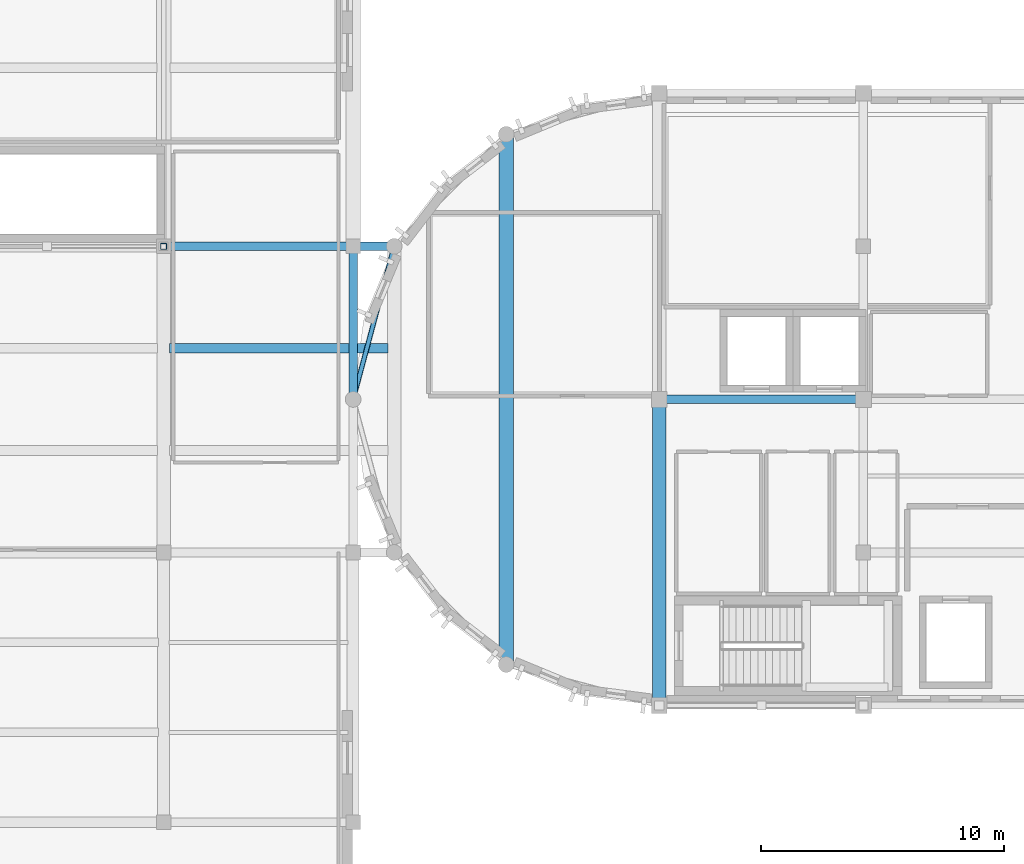
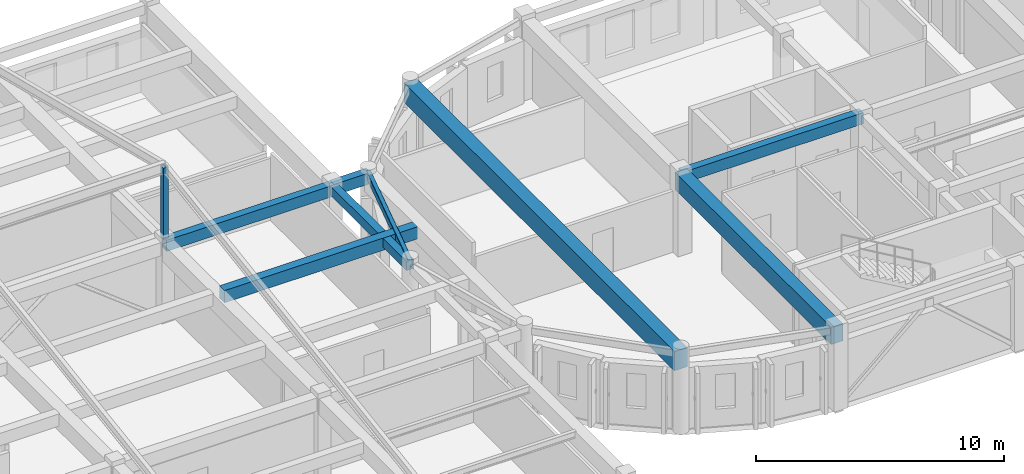
# One storey, part 11 of 29: 8 beams, 1 member.
"""IFC4 building model written with IfcOpenShell, lengths in metres."""

import ifcopenshell
import ifcopenshell.guid

model = None  # the IFC model being written
_history = None  # IfcOwnerHistory: only IFC2X3 demands one
_inside = {}  # id of a spatial element -> (the spatial element, [elements in it])
_under = {}  # id of a project, library or spatial element -> (it, [spatial elements below it])
_declared = {}  # id of a project -> (the project, [libraries it declares])
_typed = {}  # id of a type object -> (the type object, [elements of that type])
_made_of = {}  # id of a material, layer set ... -> (it, [elements and type objects made of it])


def new_model(schema):
    """Start an empty IFC model of exactly this schema.

    Asked for "IFC4X3", IfcOpenShell would pick the latest addendum, in which some entities
    have other attributes; the version numbers below select the first issue.
    IFC2X3 requires an IfcOwnerHistory on every rooted entity: one is made here for all.
    """
    global model, _history
    if schema == "IFC4X3":
        model = ifcopenshell.file(schema_version=(4, 3, 0, 0))
    else:
        model = ifcopenshell.file(schema=schema)
    _inside.clear()
    _under.clear()
    _declared.clear()
    _typed.clear()
    _made_of.clear()
    _history = None
    if model.schema == "IFC2X3":
        org = make("IfcOrganization", Name="unknown")
        user = make(
            "IfcPersonAndOrganization",
            ThePerson=make("IfcPerson", FamilyName="unknown"),
            TheOrganization=org,
        )
        app = make(
            "IfcApplication",
            ApplicationDeveloper=org,
            Version="unknown",
            ApplicationFullName="unknown",
            ApplicationIdentifier="unknown",
        )
        _history = make(
            "IfcOwnerHistory",
            OwningUser=user,
            OwningApplication=app,
            ChangeAction="ADDED",
            CreationDate=0,
        )
    return model


def make(cls, **values):
    """One entity of the class cls with the attributes given. An attribute that is None is left unset."""
    return model.create_entity(
        cls, **{name: value for name, value in values.items() if value is not None}
    )


def rooted(cls, **values):
    """An entity with a GlobalId (a new one), such as an element, a storey or a relation."""
    return make(cls, GlobalId=ifcopenshell.guid.new(), OwnerHistory=_history, **values)


def si_unit(unit_type, name, prefix=None):
    """IfcSIUnit, for example si_unit("LENGTHUNIT", "METRE", prefix="MILLI")."""
    return make("IfcSIUnit", UnitType=unit_type, Prefix=prefix, Name=name)


def assignment(units):
    """IfcUnitAssignment: the units of a project."""
    return None if units is None else make("IfcUnitAssignment", Units=units)


def point(xyz):
    """IfcCartesianPoint."""
    return None if xyz is None else make("IfcCartesianPoint", Coordinates=xyz)


def direction(xyz):
    """IfcDirection."""
    return None if xyz is None else make("IfcDirection", DirectionRatios=xyz)


def frame(location, z_axis=None, x_axis=None):
    """IfcAxis2Placement3D, a coordinate frame: its origin and axes. An axis left out is left unset."""
    return make(
        "IfcAxis2Placement3D",
        Location=point(location),
        Axis=direction(z_axis),
        RefDirection=direction(x_axis),
    )


def frame_2d(location, x_axis=None):
    """IfcAxis2Placement2D, a coordinate frame in the plane: its origin and x axis."""
    return make(
        "IfcAxis2Placement2D", Location=point(location), RefDirection=direction(x_axis)
    )


def origin():
    """The frame at (0, 0, 0) with its axes left unset."""
    return frame((0.0, 0.0, 0.0))


def origin_2d():
    """The frame at (0, 0) in the plane with its x axis left unset."""
    return frame_2d((0.0, 0.0))


def place(relative_to, where):
    """IfcLocalPlacement: puts the frame where relative to a parent placement (None: the world)."""
    return make(
        "IfcLocalPlacement", PlacementRelTo=relative_to, RelativePlacement=where
    )


def context(
    kind, dimensions, precision=None, world=None, true_north=None, identifier=None
):
    """IfcGeometricRepresentationContext, for example the 3D "Model" context."""
    return make(
        "IfcGeometricRepresentationContext",
        ContextIdentifier=identifier,
        ContextType=kind,
        CoordinateSpaceDimension=dimensions,
        Precision=precision,
        WorldCoordinateSystem=world,
        TrueNorth=true_north,
    )


def subcontext(parent, identifier, kind, view, scale=None):
    """IfcGeometricRepresentationSubContext, for example "Body" below "Model"."""
    return make(
        "IfcGeometricRepresentationSubContext",
        ContextIdentifier=identifier,
        ContextType=kind,
        ParentContext=parent,
        TargetScale=scale,
        TargetView=view,
    )


def project(units=None, contexts=None):
    """IfcProject with its units and contexts."""
    return rooted(
        "IfcProject",
        Name="project",
        RepresentationContexts=contexts,
        UnitsInContext=assignment(units),
    )


def spatial(cls, under=None, at=None, **own):
    """A site, building, storey or space (cls), placed at a placement, below another one or the project."""
    s = rooted(cls, ObjectPlacement=at, **own)
    if under is not None:
        _under.setdefault(under.id(), (under, []))[1].append(s)
    return s


def profile(cls, at=None, kind="AREA", **sizes):
    """A parametric profile (cls). Its sizes go by their IFC names, for example OverallWidth=200.0."""
    return make(cls, ProfileType=kind, Position=at, **sizes)


def rectangle(**sizes):
    """IfcRectangleProfileDef."""
    return profile("IfcRectangleProfileDef", **sizes)


def hollow_rectangle(**sizes):
    """IfcRectangleHollowProfileDef."""
    return profile("IfcRectangleHollowProfileDef", **sizes)


def extrude(swept, where, along, depth):
    """IfcExtrudedAreaSolid: the profile swept, set in the frame where, extruded along a direction by depth."""
    return make(
        "IfcExtrudedAreaSolid",
        SweptArea=swept,
        Position=where,
        ExtrudedDirection=direction(along),
        Depth=depth,
    )


def shape(context_of_items, identifier, shape_type, items):
    """IfcShapeRepresentation: the items that make up one representation, for example the "Body"."""
    return make(
        "IfcShapeRepresentation",
        ContextOfItems=context_of_items,
        RepresentationIdentifier=identifier,
        RepresentationType=shape_type,
        Items=items,
    )


def material(Name=None, Category=None):
    """IfcMaterial."""
    return make("IfcMaterial", Name=Name, Category=Category)


def material_profile(
    of_material, cross_section, Name=None, Category=None, Priority=None
):
    """IfcMaterialProfile: a cross section and its material."""
    return make(
        "IfcMaterialProfile",
        Name=Name,
        Material=of_material,
        Profile=cross_section,
        Priority=Priority,
        Category=Category,
    )


def profile_set(profiles, Name=None, composite=None):
    """IfcMaterialProfileSet."""
    return make(
        "IfcMaterialProfileSet",
        Name=Name,
        MaterialProfiles=profiles,
        CompositeProfile=composite,
    )


def made_of(thing, what):
    """Note that an element or type object is made of a material, layer set ...; save() writes the relation."""
    if what is not None:
        _made_of.setdefault(what.id(), (what, []))[1].append(thing)
    return thing


def type_object(cls, material=None, **own):
    """A type object (cls), such as IfcWallType, which elements share."""
    return made_of(rooted(cls, **own), material)


def element(
    cls,
    number,
    at=None,
    inside=None,
    cuts=None,
    type_object=None,
    material=None,
    context=None,
    identifier="Body",
    shape_type=None,
    held_by="IfcProductDefinitionShape",
    body=None,
    shapes=None,
    **own,
):
    """One element of the class cls, such as IfcWall. Its Tag is "e" and its number.

    at: its placement. inside: the storey or other place that contains it. cuts: it is an
    opening in that element (IfcRelVoidsElement). A single representation is given by context,
    identifier, shape_type and body (its items); several are given by shapes. held_by: the class
    of the entity that holds the representations. save() writes the other relations.
    """
    e = rooted(cls, Tag="e%d" % number, ObjectPlacement=at, **own)
    if body is not None:
        shapes = [shape(context, identifier, shape_type, body)]
    if shapes is not None:
        e.Representation = make(held_by, Representations=shapes)
    if inside is not None:
        _inside.setdefault(inside.id(), (inside, []))[1].append(e)
    if cuts is not None:
        rooted(
            "IfcRelVoidsElement", RelatingBuildingElement=cuts, RelatedOpeningElement=e
        )
    if type_object is not None:
        _typed.setdefault(type_object.id(), (type_object, []))[1].append(e)
    return made_of(e, material)


def aggregate(whole, parts):
    """IfcRelAggregates: a whole, such as a stair, and the parts it consists of."""
    return rooted("IfcRelAggregates", RelatingObject=whole, RelatedObjects=parts)


def save(model, path):
    """Write the relations noted so far, then the file.

    IfcRelAggregates (storeys below a building ...), IfcRelContainedInSpatialStructure (elements
    in a storey), IfcRelDefinesByType, IfcRelAssociatesMaterial and IfcRelDeclares: one each for
    every whole, place, type object, material and project.
    """
    for whole, parts in _under.values():
        aggregate(whole, parts)
    for where, things in _inside.values():
        rooted(
            "IfcRelContainedInSpatialStructure",
            RelatedElements=things,
            RelatingStructure=where,
        )
    for kind, things in _typed.values():
        rooted("IfcRelDefinesByType", RelatedObjects=things, RelatingType=kind)
    for what, things in _made_of.values():
        rooted("IfcRelAssociatesMaterial", RelatedObjects=things, RelatingMaterial=what)
    for by, libraries in _declared.values():
        rooted("IfcRelDeclares", RelatingContext=by, RelatedDefinitions=libraries)
    model.write(path)


model = new_model("IFC4")

# Units and contexts
model_context = context("Model", 3, precision=1e-05, world=origin(), true_north=direction((0.0, 1.0)))
body_context = subcontext(model_context, "Body", "Model", "MODEL_VIEW")
ifc_project = project(units=[si_unit("LENGTHUNIT", "METRE"), si_unit("AREAUNIT", "SQUARE_METRE"), si_unit("VOLUMEUNIT", "CUBIC_METRE"), si_unit("PLANEANGLEUNIT", "RADIAN"), si_unit("MASSUNIT", "GRAM", prefix="KILO")], contexts=[model_context])

# Site, building, storey
site_placement = place(None, origin())
site = spatial("IfcSite", under=ifc_project, at=site_placement, CompositionType="ELEMENT")
building_placement = place(site_placement, origin())
building = spatial("IfcBuilding", under=site, at=building_placement, Name="Tarnavel Promenade Courthouse", CompositionType="ELEMENT")
storey_placement = place(building_placement, frame((0.0, 0.0, 22.800048828125)))
storey = spatial("IfcBuildingStorey", under=building, at=storey_placement, Name="L06", CompositionType="ELEMENT", Elevation=22.800048828125)

# Beams
ifc_material_1 = material(Name="Concrete C40/50", Category="concrete")
ifc_material_profile_1 = material_profile(ifc_material_1, rectangle(XDim=0.39990234375, YDim=0.60009765625, at=origin_2d()), Name="PT 400x600")
ifc_profile_set_1 = profile_set([ifc_material_profile_1], Name="Concrete C40/50")
beam_type_1 = type_object("IfcBeamType", Name="Concrete C40/50 BM-PT-400x600 (PT 400x600)", PredefinedType="JOIST", material=ifc_profile_set_1)
beam_1_placement = place(storey_placement, frame((38.64501953125, 93.89990234375, 3.639892578125), z_axis=(1.0, 0.0, 0.0), x_axis=(0.0, 1.0, 0.0)))
element("IfcBeam", 1, at=beam_1_placement, inside=storey, type_object=beam_type_1, Name="L06 Secondary Floor Rib 2491", PredefinedType="JOIST", context=body_context, shape_type="SweptSolid", body=[
    extrude(rectangle(XDim=0.39990234375, YDim=0.60009765625, at=origin_2d()), origin(), (0.0, 0.0, 1.0), 8.998046875),
])
ifc_material_profile_2 = material_profile(ifc_material_1, rectangle(XDim=0.550048828125, YDim=0.85009765625, at=origin_2d()), Name="PT 550x850")
ifc_profile_set_2 = profile_set([ifc_material_profile_2], Name="Concrete C40/50")
beam_type_2 = type_object("IfcBeamType", Name="Concrete C40/50 BM-PT-550x850 (PT 550x850)", PredefinedType="T_BEAM", material=ifc_profile_set_2)
beam_2_placement = place(storey_placement, frame((58.800048828125, 79.199951171875, 3.5400390625), z_axis=(0.0, 1.0, 0.0), x_axis=(-1.0, 0.0, 0.0)))
element("IfcBeam", 2, at=beam_2_placement, inside=storey, type_object=beam_type_2, Name="L06 Transverse Girder 2453", PredefinedType="T_BEAM", context=body_context, shape_type="SweptSolid", body=[
    extrude(rectangle(XDim=0.550048828125, YDim=0.85009765625, at=origin_2d()), origin(), (0.0, 0.0, 1.0), 12.60009765625),
])
ifc_material_profile_3 = material_profile(ifc_material_1, rectangle(XDim=0.60009765625, YDim=0.949951171875, at=origin_2d()), Name="PT 600x950")
ifc_profile_set_3 = profile_set([ifc_material_profile_3], Name="Concrete C40/50")
beam_type_3 = type_object("IfcBeamType", Name="Concrete C40/50 BM-PT-600x950 (PT 600x950)", PredefinedType="T_BEAM", material=ifc_profile_set_3)
beam_3_placement = place(storey_placement, frame((52.5, 80.88818359375, 3.489990234375), z_axis=(0.0, 1.0, 0.0), x_axis=(-1.0, 0.0, 0.0)))
element("IfcBeam", 3, at=beam_3_placement, inside=storey, type_object=beam_type_3, Name="L06 Transverse Girder 2452", PredefinedType="T_BEAM", context=body_context, shape_type="SweptSolid", body=[
    extrude(rectangle(XDim=0.60009765625, YDim=0.949951171875, at=origin_2d()), origin(), (0.0, 0.0, 1.0), 21.82373046875),
])
ifc_material_profile_4 = material_profile(ifc_material_1, rectangle(XDim=0.35009765625, YDim=0.449951171875, at=origin_2d()), Name="RC 350x450")
ifc_profile_set_4 = profile_set([ifc_material_profile_4], Name="Concrete C40/50")
beam_type_4 = type_object("IfcBeamType", Name="Concrete C40/50 BM-RC-350x450 (RC 350x450)", PredefinedType="BEAM", material=ifc_profile_set_4)
beam_4_placement = place(storey_placement, frame((46.199951171875, 91.800048828125, 3.71484375), z_axis=(0.0, 1.0, 0.0), x_axis=(-1.0, 0.0, 0.0)))
element("IfcBeam", 4, at=beam_4_placement, inside=storey, type_object=beam_type_4, Name="L06 Transverse Girder 2449", PredefinedType="BEAM", context=body_context, shape_type="SweptSolid", body=[
    extrude(rectangle(XDim=0.35009765625, YDim=0.449951171875, at=origin_2d()), origin(), (0.0, 0.0, 1.0), 6.300048828125),
])
ifc_material_profile_5 = material_profile(ifc_material_1, rectangle(XDim=0.35009765625, YDim=0.550048828125, at=origin_2d()), Name="RC 350x550")
ifc_profile_set_5 = profile_set([ifc_material_profile_5], Name="Concrete C40/50")
beam_type_5 = type_object("IfcBeamType", Name="Concrete C40/50 BM-RC-350x550 (RC 350x550)", PredefinedType="BEAM", material=ifc_profile_set_5)
beam_5_placement = place(storey_placement, frame((58.800048828125, 91.800048828125, 3.68994140625), z_axis=(1.0, 0.0, 0.0), x_axis=(0.0, 1.0, 0.0)))
element("IfcBeam", 5, at=beam_5_placement, inside=storey, type_object=beam_type_5, Name="L06 Primary Longitudinal Beam 2410", PredefinedType="BEAM", context=body_context, shape_type="SweptSolid", body=[
    extrude(rectangle(XDim=0.35009765625, YDim=0.550048828125, at=origin_2d()), origin(), (0.0, 0.0, 1.0), 8.39990234375),
])
beam_6_placement = place(storey_placement, frame((38.39990234375, 98.10009765625, 3.6650390625), z_axis=(1.0, 0.0, 0.0), x_axis=(0.0, 1.0, 0.0)))
element("IfcBeam", 6, at=beam_6_placement, inside=storey, type_object=beam_type_5, Name="L06 Primary Longitudinal Beam 2420", PredefinedType="BEAM", context=body_context, shape_type="SweptSolid", body=[
    extrude(rectangle(XDim=0.35009765625, YDim=0.550048828125, at=origin_2d()), origin(), (0.0, 0.0, 1.0), 7.800048828125),
])
beam_7_placement = place(storey_placement, frame((46.199951171875, 98.10009765625, 3.68994140625), z_axis=(1.0, 0.0, 0.0), x_axis=(0.0, 1.0, 0.0)))
element("IfcBeam", 7, at=beam_7_placement, inside=storey, type_object=beam_type_5, Name="L06 Primary Longitudinal Beam 2421", PredefinedType="BEAM", context=body_context, shape_type="SweptSolid", body=[
    extrude(rectangle(XDim=0.35009765625, YDim=0.550048828125, at=origin_2d()), origin(), (0.0, 0.0, 1.0), 1.688232421875),
])
ifc_material_2 = material(Name="Steel S355J2", Category="steel")
ifc_material_profile_6 = material_profile(ifc_material_2, hollow_rectangle(XDim=0.199951171875, YDim=0.35009765625, WallThickness=0.012451171875, InnerFilletRadius=0.012451171875, OuterFilletRadius=0.02490234375, at=origin_2d()), Name="RHS 350x200x12.5")
ifc_profile_set_6 = profile_set([ifc_material_profile_6], Name="Steel S355J2")
beam_type_6 = type_object("IfcBeamType", Name="Steel S355J2 BM-ST-RHS350 (RHS 350x200x12.5)", PredefinedType="SPANDREL", material=ifc_profile_set_6)
beam_8_placement = place(storey_placement, frame((47.88818359375, 98.10009765625, 3.7900390625), z_axis=(-0.258838989821, -0.965920481897, 0.0), x_axis=(0.965920481897, -0.258838989821, 0.0)))
element("IfcBeam", 8, at=beam_8_placement, inside=storey, type_object=beam_type_6, Name="L06 Drum Ring Spandrel 2511", PredefinedType="SPANDREL", context=body_context, shape_type="SweptSolid", body=[
    extrude(hollow_rectangle(XDim=0.199951171875, YDim=0.35009765625, WallThickness=0.012451171875, InnerFilletRadius=0.012451171875, OuterFilletRadius=0.02490234375, at=origin_2d()), origin(), (0.0, 0.0, 1.0), 6.522216796875),
])

# Member
ifc_material_profile_7 = material_profile(ifc_material_2, hollow_rectangle(XDim=0.25, YDim=0.25, WallThickness=0.012451171875, InnerFilletRadius=0.012451171875, OuterFilletRadius=0.02490234375, at=origin_2d()), Name="SHS 250x250x12.5")
ifc_profile_set_7 = profile_set([ifc_material_profile_7], Name="Steel S355J2")
member_type = type_object("IfcMemberType", Name="Steel S355J2 MEM-STR-SHS250 (SHS 250x250x12.5)", PredefinedType="STRUT", material=ifc_profile_set_7)
member_placement = place(storey_placement, frame((38.39990234375, 98.10009765625, 4.0), z_axis=(0.0, 0.0, 1.0), x_axis=(1.0, 0.0, 0.0)))
element("IfcMember", 9, at=member_placement, inside=storey, type_object=member_type, Name="Trial Wing Ridge King-Post", PredefinedType="STRUT", context=body_context, shape_type="SweptSolid", body=[
    extrude(hollow_rectangle(XDim=0.25, YDim=0.25, WallThickness=0.012451171875, InnerFilletRadius=0.012451171875, OuterFilletRadius=0.02490234375, at=origin_2d()), origin(), (0.0, 0.0, 1.0), 3.5),
])

save(model, "model.ifc")
